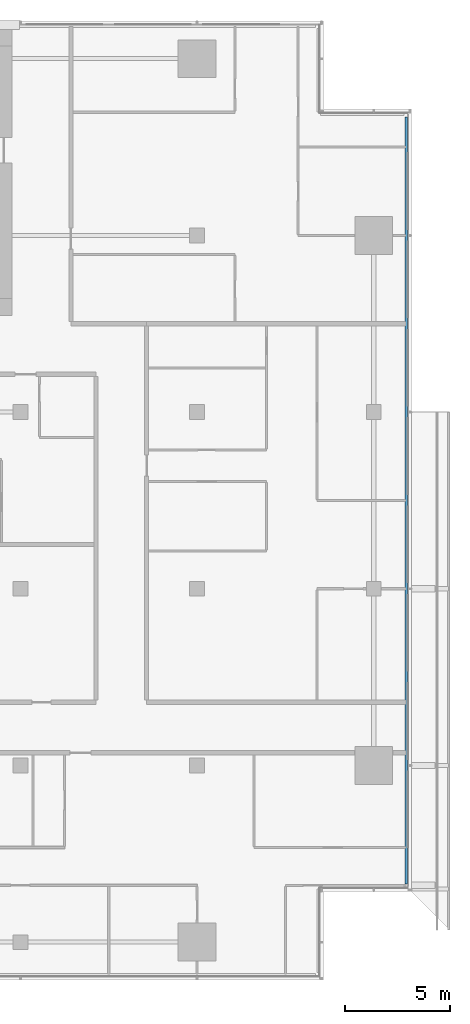
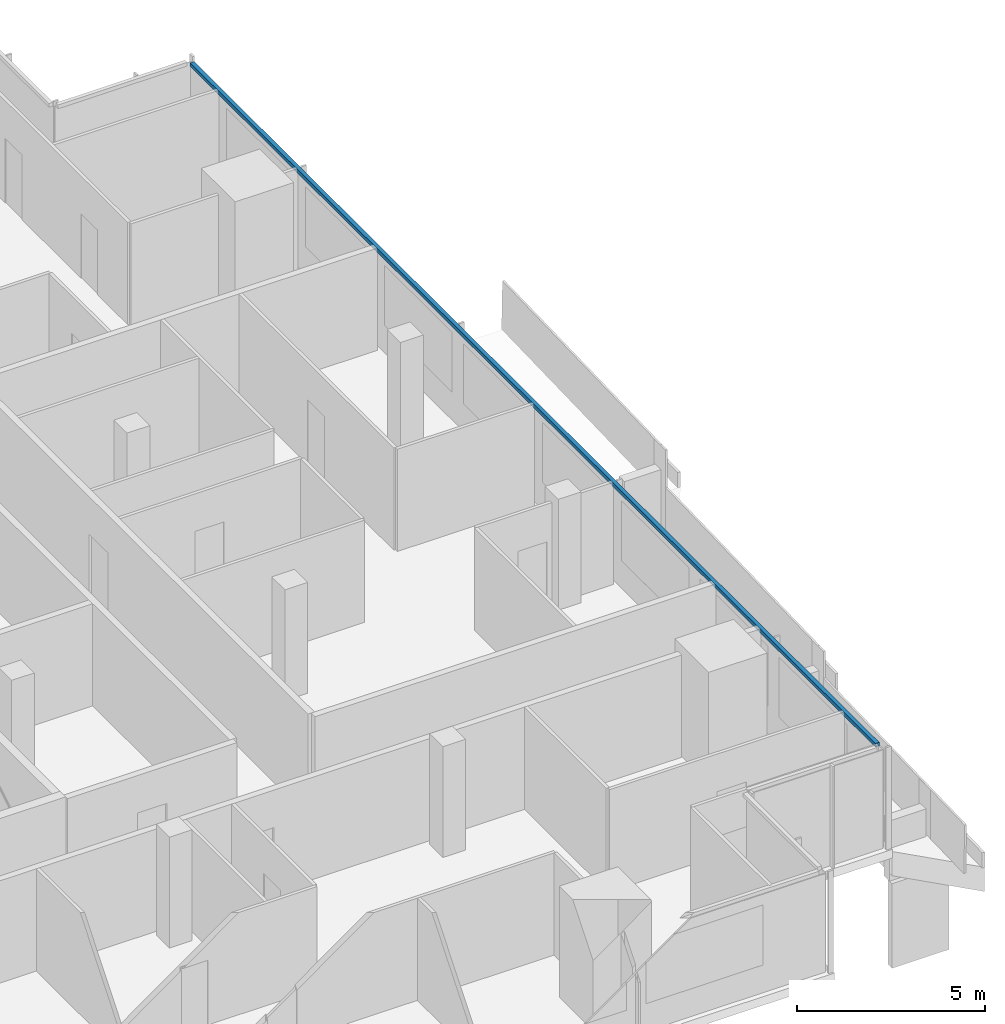
# One storey, part 12 of 27: 1 member, 1 element without a shape of its own.
"""IFC4 building model written with IfcOpenShell, lengths in metres."""

from ifc_helpers import new_model, si_unit, direction, frame, origin, origin_2d, place, context, subcontext, project, spatial, rectangle, extrude, material, material_profile, profile_set, type_object, element, aggregate, save


model = new_model("IFC4")

# Units and contexts
model_context = context("Model", 3, precision=1e-05, world=origin(), true_north=direction((0.0, 1.0)))
body_context = subcontext(model_context, "Body", "Model", "MODEL_VIEW")
ifc_project = project(units=[si_unit("LENGTHUNIT", "METRE"), si_unit("AREAUNIT", "SQUARE_METRE"), si_unit("VOLUMEUNIT", "CUBIC_METRE"), si_unit("PLANEANGLEUNIT", "RADIAN"), si_unit("MASSUNIT", "GRAM", prefix="KILO")], contexts=[model_context])

# Site, building, storey
site_placement = place(None, origin())
site = spatial("IfcSite", under=ifc_project, at=site_placement, CompositionType="ELEMENT")
building_placement = place(site_placement, origin())
building = spatial("IfcBuilding", under=site, at=building_placement, Name="Saffron Gate Tower", CompositionType="ELEMENT")
storey_placement = place(building_placement, frame((0.0, 0.0, 183.449951171875)))
storey = spatial("IfcBuildingStorey", under=building, at=storey_placement, Name="L45", CompositionType="ELEMENT", Elevation=183.449951171875)

# Curtain wall, member
ifc_material = material(Name="Aluminium, bronze anodised", Category="aluminium")
curtain_wall_type = type_object("IfcCurtainWallType", Name="CWS2 curtain wall side facades", PredefinedType="NOTDEFINED", material=ifc_material)
curtain_wall_placement = place(storey_placement, origin())
curtain_wall = element("IfcCurtainWall", 1, at=curtain_wall_placement, inside=storey, type_object=curtain_wall_type, Name="CWS2 run 4", PredefinedType="NOTDEFINED")
ifc_material_profile = material_profile(ifc_material, rectangle(XDim=0.1201171875, YDim=0.1201171875, at=origin_2d()))
ifc_profile_set = profile_set([ifc_material_profile], Name="Aluminium, bronze anodised")
member_type = type_object("IfcMemberType", Name="CWS2 head transom", PredefinedType="USERDEFINED", material=ifc_profile_set)
member_placement = place(storey_placement, frame((126.951904296875, 34.568115234375, 3.260009765625), z_axis=(0.0, 1.0, 0.0), x_axis=(-1.0, 0.0, 0.0)))
member = element("IfcMember", 2, at=member_placement, type_object=member_type, Name="CWS2 head transom", ObjectType="TRANSOM", PredefinedType="USERDEFINED", context=body_context, shape_type="SweptSolid", body=[
    extrude(rectangle(XDim=0.1201171875, YDim=0.1201171875, at=origin_2d()), origin(), (0.0, 0.0, 1.0), 36.4638671875),
])
aggregate(curtain_wall, [member])

save(model, "model.ifc")
